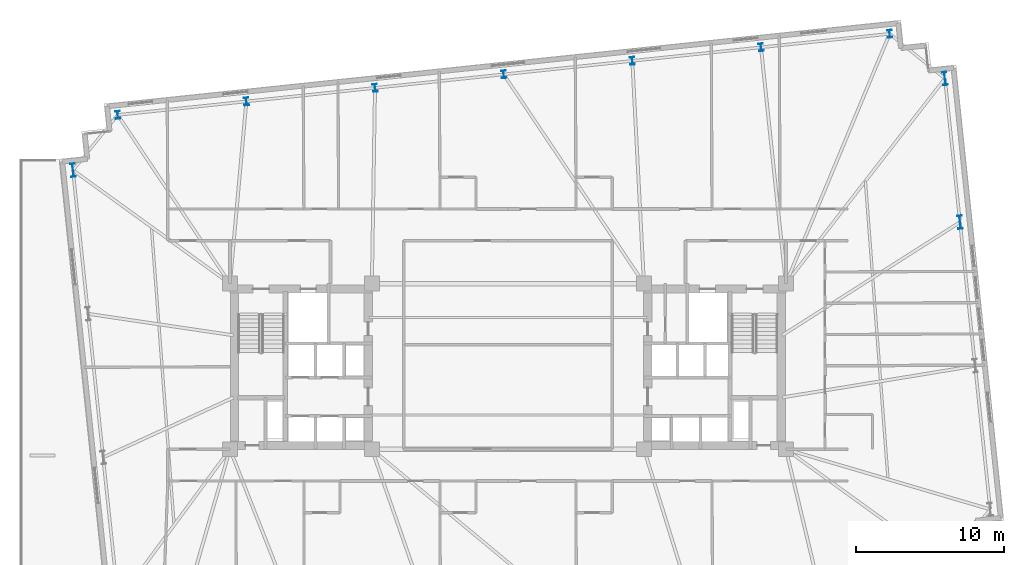
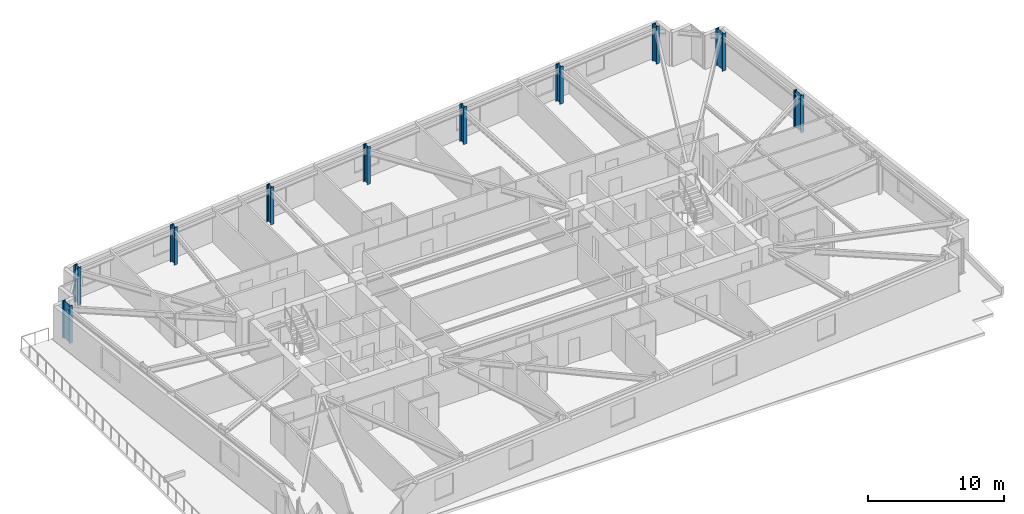
# One storey, part 2 of 20: 10 columns.
"""IFC4 building model written with IfcOpenShell, lengths in metres."""

from ifc_helpers import new_model, si_unit, direction, frame, origin, origin_2d, place, context, subcontext, project, spatial, i_section, extrude, material, material_profile, profile_set, type_object, element, save


model = new_model("IFC4")

# Units and contexts
model_context = context("Model", 3, precision=1e-05, world=origin(), true_north=direction((0.0, 1.0)))
body_context = subcontext(model_context, "Body", "Model", "MODEL_VIEW")
ifc_project = project(units=[si_unit("LENGTHUNIT", "METRE"), si_unit("AREAUNIT", "SQUARE_METRE"), si_unit("VOLUMEUNIT", "CUBIC_METRE"), si_unit("PLANEANGLEUNIT", "RADIAN"), si_unit("MASSUNIT", "GRAM", prefix="KILO")], contexts=[model_context])

# Site, building, storey
site_placement = place(None, origin())
site = spatial("IfcSite", under=ifc_project, at=site_placement, CompositionType="ELEMENT")
building_placement = place(site_placement, origin())
building = spatial("IfcBuilding", under=site, at=building_placement, Name="Qobustan Lattice House", CompositionType="ELEMENT")
storey_placement = place(building_placement, frame((0.0, 0.0, 79.0)))
storey = spatial("IfcBuildingStorey", under=building, at=storey_placement, Name="L21", CompositionType="ELEMENT", Elevation=79.0)

# Columns
ifc_material_1 = material(Name="Steel S355", Category="steel")
ifc_material_profile_1 = material_profile(ifc_material_1, i_section(OverallWidth=0.300048828125, OverallDepth=0.89990234375, WebThickness=0.0185546875, FlangeThickness=0.034912109375, FilletRadius=0.030029296875, at=origin_2d()), Name="HEB900")
ifc_profile_set_1 = profile_set([ifc_material_profile_1], Name="Steel S355")
column_type_1 = type_object("IfcColumnType", Name="COL-ST-HEB900", PredefinedType="COLUMN", material=ifc_profile_set_1)
for number, where, z_axis, x_axis, name in (
    (1, (30.5771484375, 9.755859375, 0.0), (0.0, 0.0, 1.0), (0.994521895368, 0.104528463268, 0.0), "L21 B2 perimeter column E3"),
    (2, (29.55615234375, 19.468994140625, 0.0), (0.0, 0.0, 1.0), (0.994521895368, 0.104528463268, 0.0), "L21 B2 perimeter column E4"),
    (3, (-29.4189453125, 13.2705078125, 0.0), (0.0, 0.0, 1.0), (0.994521895368, 0.104528463268, 0.0), "L21 B2 perimeter column W1"),
):
    element("IfcColumn", number, at=place(storey_placement, frame(where, z_axis=z_axis, x_axis=x_axis)), inside=storey, type_object=column_type_1, Name=name, PredefinedType="COLUMN", context=body_context, shape_type="SweptSolid", body=[
        extrude(i_section(OverallWidth=0.300048828125, OverallDepth=0.89990234375, WebThickness=0.0185546875, FlangeThickness=0.034912109375, FilletRadius=0.030029296875, at=origin_2d()), origin(), (0.0, 0.0, 1.0), 3.35009765625),
    ])
ifc_material_2 = material(Name="Steel S355", Category="steel")
ifc_material_profile_2 = material_profile(ifc_material_2, i_section(OverallWidth=0.305908203125, OverallDepth=0.52392578125, WebThickness=0.02099609375, FlangeThickness=0.0400390625, FilletRadius=0.027099609375, at=origin_2d()), Name="HEM500")
ifc_profile_set_2 = profile_set([ifc_material_profile_2], Name="Steel S355")
column_type_2 = type_object("IfcColumnType", Name="COL-ST-HEM500", PredefinedType="COLUMN", material=ifc_profile_set_2)
for number, where, z_axis, x_axis, name in (
    (4, (25.819580078125, 22.4951171875, 0.0), (0.0, 0.0, 1.0), (0.994521895368, 0.104528463268, 0.0), "L21 B2 perimeter column N1"),
    (5, (17.117431640625, 21.580322265625, 0.0), (0.0, 0.0, 1.0), (0.994521895368, 0.104528463268, 0.0), "L21 B2 perimeter column N2"),
    (6, (8.415283203125, 20.665771484375, 0.0), (0.0, 0.0, 1.0), (0.994521895368, 0.104528463268, 0.0), "L21 B2 perimeter column N3"),
    (7, (-0.28662109375, 19.751220703125, 0.0), (0.0, 0.0, 1.0), (0.994521895368, 0.104528463268, 0.0), "L21 B2 perimeter column N4"),
    (8, (-8.98876953125, 18.83642578125, 0.0), (0.0, 0.0, 1.0), (0.994521895368, 0.104528463268, 0.0), "L21 B2 perimeter column N5"),
    (9, (-17.69091796875, 17.921875, 0.0), (0.0, 0.0, 1.0), (0.994521895368, 0.104528463268, 0.0), "L21 B2 perimeter column N6"),
    (10, (-26.392822265625, 17.007080078125, 0.0), (0.0, 0.0, 1.0), (0.994521895368, 0.104528463268, 0.0), "L21 B2 perimeter column N7"),
):
    element("IfcColumn", number, at=place(storey_placement, frame(where, z_axis=z_axis, x_axis=x_axis)), inside=storey, type_object=column_type_2, Name=name, PredefinedType="COLUMN", context=body_context, shape_type="SweptSolid", body=[
        extrude(i_section(OverallWidth=0.305908203125, OverallDepth=0.52392578125, WebThickness=0.02099609375, FlangeThickness=0.0400390625, FilletRadius=0.027099609375, at=origin_2d()), origin(), (0.0, 0.0, 1.0), 3.35009765625),
    ])

save(model, "model.ifc")
